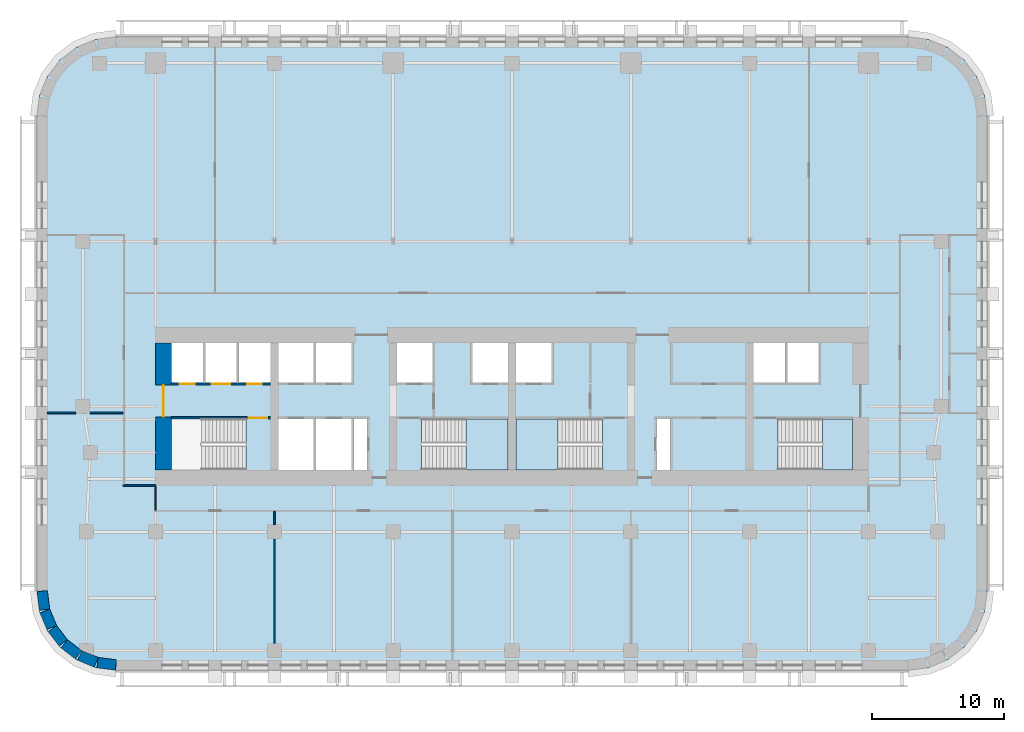
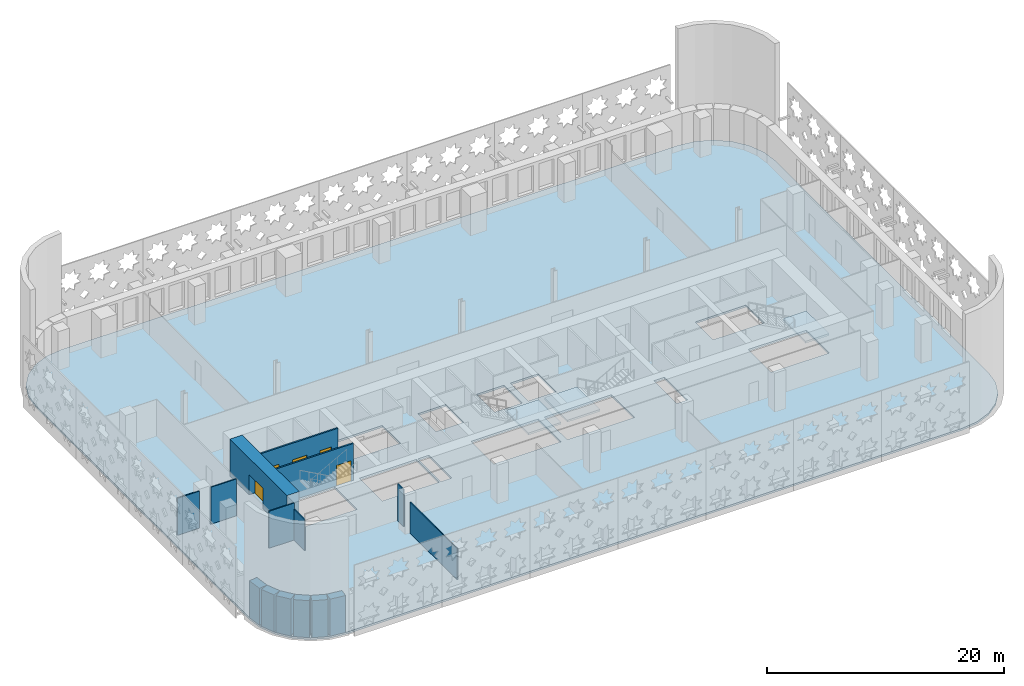
# One storey, part 2 of 13: 15 walls, 5 doors, 4 slabs, 5 openings, 3 elements without a shape of their own.
"""IFC4 building model written with IfcOpenShell, lengths in metres."""

from ifc_helpers import new_model, si_unit, direction, frame, frame_2d, origin, place, context, subcontext, project, spatial, polyline, rectangle, outline, extrude, material, layer, layer_set, type_object, element, fill, aggregate, save


model = new_model("IFC4")

# Units and contexts
model_context = context("Model", 3, precision=1e-05, world=origin(), true_north=direction((0.0, 1.0)))
body_context = subcontext(model_context, "Body", "Model", "MODEL_VIEW")
ifc_project = project(units=[si_unit("LENGTHUNIT", "METRE"), si_unit("AREAUNIT", "SQUARE_METRE"), si_unit("VOLUMEUNIT", "CUBIC_METRE"), si_unit("PLANEANGLEUNIT", "RADIAN"), si_unit("MASSUNIT", "GRAM", prefix="KILO")], contexts=[model_context])

# Site, building, storey
site_placement = place(None, origin())
site = spatial("IfcSite", under=ifc_project, at=site_placement, CompositionType="ELEMENT")
building_placement = place(site_placement, origin())
building = spatial("IfcBuilding", under=site, at=building_placement, Name="Zellij Exchange Tower", CompositionType="ELEMENT")
storey_placement = place(building_placement, frame((0.0, 0.0, 52.5)))
storey = spatial("IfcBuildingStorey", under=building, at=storey_placement, Name="L09", CompositionType="ELEMENT", Elevation=52.5)

# Stair, slab
ifc_material_1 = material(Name="Concrete C40/50", Category="concrete")
stair_type = type_object("IfcStairType", Name="CORE-ST exit stair 1850 wide", PredefinedType="HALF_TURN_STAIR", material=ifc_material_1)
stair_1_placement = place(storey_placement, origin())
stair_1 = element("IfcStair", 1, at=stair_1_placement, inside=storey, type_object=stair_type, Name="L09 exit stair ST2", PredefinedType="HALF_TURN_STAIR")
ifc_layer_1 = layer(ifc_material_1, 0.199951171875)
ifc_layer_set_1 = layer_set([ifc_layer_1], Name="Concrete C40/50")
slab_type_1 = type_object("IfcSlabType", Name="CORE-SL stair landing 200", PredefinedType="LANDING", material=ifc_layer_set_1)
slab_1_placement = place(storey_placement, frame((0.0, 0.0, 1.800048828125)))
slab_1 = element("IfcSlab", 2, at=slab_1_placement, type_object=slab_type_1, Name="ST2 landing 1", PredefinedType="LANDING", context=body_context, shape_type="SweptSolid", body=[
    extrude(outline(polyline([(-3.489990234375, -12.800048828125), (-0.300048828125, -12.800048828125), (-0.300048828125, -8.949951171875), (-3.489990234375, -8.949951171875), (-3.489990234375, -12.800048828125)])), origin(), (0.0, 0.0, 1.0), 0.199951171875),
])
aggregate(stair_1, [slab_1])

stair_2_placement = place(storey_placement, origin())
stair_2 = element("IfcStair", 3, at=stair_2_placement, inside=storey, type_object=stair_type, Name="L09 exit stair ST3", PredefinedType="HALF_TURN_STAIR")
slab_2_placement = place(storey_placement, frame((0.0, 0.0, 1.800048828125)))
slab_2 = element("IfcSlab", 4, at=slab_2_placement, type_object=slab_type_1, Name="ST3 landing 1", PredefinedType="LANDING", context=body_context, shape_type="SweptSolid", body=[
    extrude(outline(polyline([(3.489990234375, -8.949951171875), (0.300048828125, -8.949951171875), (0.300048828125, -12.800048828125), (3.489990234375, -12.800048828125), (3.489990234375, -8.949951171875)])), origin(), (0.0, 0.0, 1.0), 0.199951171875),
])
aggregate(stair_2, [slab_2])

stair_3_placement = place(storey_placement, origin())
stair_3 = element("IfcStair", 5, at=stair_3_placement, inside=storey, type_object=stair_type, Name="L09 exit stair ST4", PredefinedType="HALF_TURN_STAIR")
slab_3_placement = place(storey_placement, frame((0.0, 0.0, 1.800048828125)))
slab_3 = element("IfcSlab", 6, at=slab_3_placement, type_object=slab_type_1, Name="ST4 landing 1", PredefinedType="LANDING", context=body_context, shape_type="SweptSolid", body=[
    extrude(outline(polyline([(23.510009765625, -12.800048828125), (25.800048828125, -12.800048828125), (25.800048828125, -8.949951171875), (23.510009765625, -8.949951171875), (23.510009765625, -12.800048828125)])), origin(), (0.0, 0.0, 1.0), 0.199951171875),
])
aggregate(stair_3, [slab_3])

# Slab
ifc_layer_2 = layer(ifc_material_1, 0.199951171875)
ifc_layer_set_2 = layer_set([ifc_layer_2], Name="Concrete C40/50")
slab_type_2 = type_object("IfcSlabType", Name="STR-FLOOR SLAB 200 C40/50", PredefinedType="FLOOR", material=ifc_layer_set_2)
slab_4_placement = place(storey_placement, frame((0.0, 0.0, -0.2001953125)))
element("IfcSlab", 7, at=slab_4_placement, inside=storey, type_object=slab_type_2, Name="Floor L09", PredefinedType="FLOOR", context=body_context, shape_type="SweptSolid", body=[
    extrude(outline(polyline([(-30.0, -28.0), (-31.552978515625, -27.795654296875), (-33.0, -27.1962890625), (-34.24267578125, -26.24267578125), (-35.1962890625, -25.0), (-35.795654296875, -23.552978515625), (-36.0, -22.0), (-36.0, 14.0), (-35.795654296875, 15.552978515625), (-35.1962890625, 17.0), (-34.24267578125, 18.24267578125), (-33.0, 19.1962890625), (-31.552978515625, 19.795654296875), (-30.0, 20.0), (30.0, 20.0), (31.552978515625, 19.795654296875), (33.0, 19.1962890625), (34.24267578125, 18.24267578125), (35.1962890625, 17.0), (35.795654296875, 15.552978515625), (36.0, 14.0), (36.0, -22.0), (35.795654296875, -23.552978515625), (35.1962890625, -25.0), (34.24267578125, -26.24267578125), (33.0, -27.1962890625), (31.552978515625, -27.795654296875), (30.0, -28.0), (-30.0, -28.0)]), holes=[polyline([(-25.800048828125, -8.949951171875), (-25.800048828125, -12.800048828125), (-20.153076171875, -12.800048828125), (-20.153076171875, -8.949951171875), (-25.800048828125, -8.949951171875)]), polyline([(-12.14990234375, -8.949951171875), (-17.699951171875, -8.949951171875), (-17.699951171875, -12.800048828125), (-12.14990234375, -12.800048828125), (-12.14990234375, -8.949951171875)]), polyline([(-10.949951171875, -8.949951171875), (-12.0, -8.949951171875), (-12.0, -12.800048828125), (-10.949951171875, -12.800048828125), (-10.949951171875, -8.949951171875)]), polyline([(-23.39990234375, -3.199951171875), (-25.800048828125, -3.199951171875), (-25.800048828125, -6.22509765625), (-23.39990234375, -6.22509765625), (-23.39990234375, -3.199951171875)]), polyline([(-18.300048828125, -3.199951171875), (-23.25, -3.199951171875), (-23.25, -6.22509765625), (-18.300048828125, -6.22509765625), (-18.300048828125, -3.199951171875)]), polyline([(-12.14990234375, -3.199951171875), (-17.699951171875, -3.199951171875), (-17.699951171875, -6.22509765625), (-12.14990234375, -6.22509765625), (-12.14990234375, -3.199951171875)]), polyline([(-6.0, -3.199951171875), (-8.699951171875, -3.199951171875), (-8.699951171875, -6.22509765625), (-6.0, -6.22509765625), (-6.0, -3.199951171875)]), polyline([(-6.846923828125, -8.949951171875), (-6.846923828125, -12.800048828125), (-0.300048828125, -12.800048828125), (-0.300048828125, -8.949951171875), (-6.846923828125, -8.949951171875)]), polyline([(6.846923828125, -8.949951171875), (0.300048828125, -8.949951171875), (0.300048828125, -12.800048828125), (6.846923828125, -12.800048828125), (6.846923828125, -8.949951171875)]), polyline([(12.0, -8.949951171875), (10.949951171875, -8.949951171875), (10.949951171875, -12.800048828125), (12.0, -12.800048828125), (12.0, -8.949951171875)]), polyline([(25.800048828125, -8.949951171875), (20.153076171875, -8.949951171875), (20.153076171875, -12.800048828125), (25.800048828125, -12.800048828125), (25.800048828125, -8.949951171875)]), polyline([(-0.300048828125, -3.199951171875), (-3.0, -3.199951171875), (-3.0, -6.22509765625), (-0.300048828125, -6.22509765625), (-0.300048828125, -3.199951171875)]), polyline([(3.0, -3.199951171875), (0.300048828125, -3.199951171875), (0.300048828125, -6.22509765625), (3.0, -6.22509765625), (3.0, -3.199951171875)]), polyline([(23.25, -3.199951171875), (18.300048828125, -3.199951171875), (18.300048828125, -6.22509765625), (23.25, -6.22509765625), (23.25, -3.199951171875)])]), origin(), (0.0, 0.0, 1.0), 0.2001953125),
])

# Wall, openings, doors
ifc_material_2 = material(Name="Gypsum shaft wall system")
ifc_layer_3 = layer(ifc_material_2, 0.14990234375)
ifc_layer_set_3 = layer_set([ifc_layer_3], Name="Gypsum shaft wall system")
wall_type_1 = type_object("IfcWallType", Name="CORE-PW 150 Lift shaft wall", PredefinedType="PARTITIONING", material=ifc_layer_set_3)
wall_1_placement = place(storey_placement, frame((-25.800048828125, -6.300048828125, 0.0), z_axis=(0.0, 0.0, 1.0), x_axis=(1.0, 0.0, 0.0)))
wall_1 = element("IfcWall", 8, at=wall_1_placement, inside=storey, type_object=wall_type_1, Name="Lift shaft wall L09", PredefinedType="PARTITIONING", context=body_context, shape_type="SweptSolid", body=[
    extrude(rectangle(XDim=7.5, YDim=0.14990234375, at=frame_2d((3.75, 0.0))), origin(), (0.0, 0.0, 1.0), 3.800048828125),
])
opening_1_placement = place(wall_1_placement, frame((0.64990234375, 0.0, 0.0)))
opening_1 = element("IfcOpeningElement", 9, at=opening_1_placement, cuts=wall_1, Name="Opening CA-07.02", PredefinedType="OPENING", context=body_context, shape_type="SweptSolid", body=[
    extrude(rectangle(XDim=1.10009765625, YDim=2.10009765625, at=frame_2d((0.550048828125, 1.050048828125))), frame((0.0, 0.0869140625, 0.0), z_axis=(0.0, -1.0, 0.0), x_axis=(1.0, 0.0, 0.0)), (0.0, 0.0, 1.0), 0.173828125),
])
opening_2_placement = place(wall_1_placement, frame((3.050048828125, 0.0, 0.0)))
opening_2 = element("IfcOpeningElement", 10, at=opening_2_placement, cuts=wall_1, Name="Opening CA-07.03", PredefinedType="OPENING", context=body_context, shape_type="SweptSolid", body=[
    extrude(rectangle(XDim=1.39990234375, YDim=2.10009765625, at=frame_2d((0.699951171875, 1.050048828125))), frame((0.0, 0.0869140625, 0.0), z_axis=(0.0, -1.0, 0.0), x_axis=(1.0, 0.0, 0.0)), (0.0, 0.0, 1.0), 0.173828125),
])
opening_3_placement = place(wall_1_placement, frame((5.75, 0.0, 0.0)))
opening_3 = element("IfcOpeningElement", 11, at=opening_3_placement, cuts=wall_1, Name="Opening CA-07.04", PredefinedType="OPENING", context=body_context, shape_type="SweptSolid", body=[
    extrude(rectangle(XDim=1.10009765625, YDim=2.10009765625, at=frame_2d((0.550048828125, 1.050048828125))), frame((0.0, 0.0869140625, 0.0), z_axis=(0.0, -1.0, 0.0), x_axis=(1.0, 0.0, 0.0)), (0.0, 0.0, 1.0), 0.173828125),
])
ifc_material_3 = material(Name="Hollow metal fire door")
door_type_1 = type_object("IfcDoorType", Name="CORE-D LD Lift landing door 1100x2100 1.5 HR", OperationType="NOTDEFINED", PredefinedType="DOOR", material=ifc_material_3)
door_1_placement = place(opening_1_placement, origin())
door_1 = element("IfcDoor", 12, at=door_1_placement, inside=storey, type_object=door_type_1, Name="Lift landing door CA-07.02", OperationType="SLIDING_TO_RIGHT", OverallHeight=2.10009765625, OverallWidth=1.10009765625, PredefinedType="DOOR", context=body_context, shape_type="SweptSolid", body=[
    extrude(rectangle(XDim=1.10009765625, YDim=2.10009765625, at=frame_2d((0.550048828125, 1.050048828125))), frame((0.0, 0.02490234375, 0.0), z_axis=(0.0, -1.0, 0.0), x_axis=(1.0, 0.0, 0.0)), (0.0, 0.0, 1.0), 0.050048828125),
])
fill(opening_1, door_1)
door_2_placement = place(opening_3_placement, origin())
door_2 = element("IfcDoor", 13, at=door_2_placement, inside=storey, type_object=door_type_1, Name="Lift landing door CA-07.04", OperationType="SLIDING_TO_RIGHT", OverallHeight=2.10009765625, OverallWidth=1.10009765625, PredefinedType="DOOR", context=body_context, shape_type="SweptSolid", body=[
    extrude(rectangle(XDim=1.10009765625, YDim=2.10009765625, at=frame_2d((0.550048828125, 1.050048828125))), frame((0.0, 0.02490234375, 0.0), z_axis=(0.0, -1.0, 0.0), x_axis=(1.0, 0.0, 0.0)), (0.0, 0.0, 1.0), 0.050048828125),
])
fill(opening_3, door_2)
door_type_2 = type_object("IfcDoorType", Name="CORE-D LD2 Service lift landing door 1400x2100 1.5 HR", OperationType="NOTDEFINED", PredefinedType="DOOR", material=ifc_material_3)
door_3_placement = place(opening_2_placement, origin())
door_3 = element("IfcDoor", 14, at=door_3_placement, inside=storey, type_object=door_type_2, Name="Service lift landing door CA-07.03", OperationType="SLIDING_TO_LEFT", OverallHeight=2.10009765625, OverallWidth=1.39990234375, PredefinedType="DOOR", context=body_context, shape_type="SweptSolid", body=[
    extrude(rectangle(XDim=1.39990234375, YDim=2.10009765625, at=frame_2d((0.699951171875, 1.050048828125))), frame((0.0, 0.02490234375, 0.0), z_axis=(0.0, -1.0, 0.0), x_axis=(1.0, 0.0, 0.0)), (0.0, 0.0, 1.0), 0.050048828125),
])
fill(opening_2, door_3)

# Wall, opening, door
ifc_material_4 = material(Name="Concrete C70/85", Category="concrete")
ifc_layer_4 = layer(ifc_material_4, 1.199951171875)
ifc_layer_set_4 = layer_set([ifc_layer_4], Name="Concrete C70/85")
wall_type_2 = type_object("IfcWallType", Name="CORE-SW 1200 C70/85", PredefinedType="SHEAR", material=ifc_layer_set_4)
wall_2_placement = place(storey_placement, frame((-26.39990234375, -12.800048828125, 0.0), z_axis=(0.0, 0.0, 1.0), x_axis=(0.0, 1.0, 0.0)))
wall_2 = element("IfcWall", 15, at=wall_2_placement, inside=storey, type_object=wall_type_2, Name="Core shear wall end w L09", PredefinedType="SHEAR", context=body_context, shape_type="SweptSolid", body=[
    extrude(rectangle(XDim=9.60009765625, YDim=1.199951171875, at=frame_2d((4.800048828125, 0.0))), origin(), (0.0, 0.0, 1.0), 3.800048828125),
])
opening_4_placement = place(wall_2_placement, frame((4.011962890625, 0.0, 0.0)))
opening_4 = element("IfcOpeningElement", 16, at=opening_4_placement, cuts=wall_2, Name="Opening CA-07.01", PredefinedType="OPENING", context=body_context, shape_type="SweptSolid", body=[
    extrude(rectangle(XDim=2.39990234375, YDim=2.10009765625, at=frame_2d((1.199951171875, 1.050048828125))), frame((0.0, 0.61181640625, 0.0), z_axis=(0.0, -1.0, 0.0), x_axis=(1.0, 0.0, 0.0)), (0.0, 0.0, 1.0), 1.223876953125),
])
door_type_3 = type_object("IfcDoorType", Name="CORE-D CE Core entrance door 2400x2100 20 MIN", OperationType="NOTDEFINED", PredefinedType="DOOR", material=ifc_material_3)
door_4_placement = place(opening_4_placement, origin())
door_4 = element("IfcDoor", 17, at=door_4_placement, inside=storey, type_object=door_type_3, Name="Core entrance door CA-07.01", OperationType="DOUBLE_DOOR_SINGLE_SWING", OverallHeight=2.10009765625, OverallWidth=2.39990234375, PredefinedType="DOOR", context=body_context, shape_type="SweptSolid", body=[
    extrude(rectangle(XDim=2.39990234375, YDim=2.10009765625, at=frame_2d((1.199951171875, 1.050048828125))), frame((0.0, 0.02490234375, 0.0), z_axis=(0.0, -1.0, 0.0), x_axis=(1.0, 0.0, 0.0)), (0.0, 0.0, 1.0), 0.050048828125),
])
fill(opening_4, door_4)

ifc_layer_5 = layer(ifc_material_4, 0.14990234375)
ifc_layer_set_5 = layer_set([ifc_layer_5], Name="Concrete C70/85")
wall_type_3 = type_object("IfcWallType", Name="CORE-SWS 150 C70/85", PredefinedType="SHEAR", material=ifc_layer_set_5)
wall_3_placement = place(storey_placement, frame((-25.800048828125, -8.875, 0.0), z_axis=(0.0, 0.0, 1.0), x_axis=(1.0, 0.0, 0.0)))
wall_3 = element("IfcWall", 18, at=wall_3_placement, inside=storey, type_object=wall_type_3, Name="Stair enclosure wall L09", PredefinedType="SHEAR", context=body_context, shape_type="SweptSolid", body=[
    extrude(rectangle(XDim=7.5, YDim=0.14990234375, at=frame_2d((3.75, 0.0))), origin(), (0.0, 0.0, 1.0), 3.800048828125),
])
opening_5_placement = place(wall_3_placement, frame((5.875, 0.0, 0.0)))
opening_5 = element("IfcOpeningElement", 19, at=opening_5_placement, cuts=wall_3, Name="Opening CA-07.05", PredefinedType="OPENING", context=body_context, shape_type="SweptSolid", body=[
    extrude(rectangle(XDim=1.39990234375, YDim=2.10009765625, at=frame_2d((0.699951171875, 1.050048828125))), frame((0.0, 0.0869140625, 0.0), z_axis=(0.0, -1.0, 0.0), x_axis=(1.0, 0.0, 0.0)), (0.0, 0.0, 1.0), 0.173828125),
])
door_type_4 = type_object("IfcDoorType", Name="CORE-D SD Stair door 1400x2100 1.5 HR", OperationType="NOTDEFINED", PredefinedType="DOOR", material=ifc_material_3)
door_5_placement = place(opening_5_placement, origin())
door_5 = element("IfcDoor", 20, at=door_5_placement, inside=storey, type_object=door_type_4, Name="Stair door CA-07.05", OperationType="DOUBLE_DOOR_SINGLE_SWING", OverallHeight=2.10009765625, OverallWidth=1.39990234375, PredefinedType="DOOR", context=body_context, shape_type="SweptSolid", body=[
    extrude(rectangle(XDim=1.39990234375, YDim=2.10009765625, at=frame_2d((0.699951171875, 1.050048828125))), frame((0.0, 0.02490234375, 0.0), z_axis=(0.0, -1.0, 0.0), x_axis=(1.0, 0.0, 0.0)), (0.0, 0.0, 1.0), 0.050048828125),
])
fill(opening_5, door_5)

# Walls
ifc_material_5 = material(Name="Precast concrete C40/50", Category="concrete")
ifc_layer_6 = layer(ifc_material_5, 0.800048828125)
ifc_layer_set_6 = layer_set([ifc_layer_6], Name="Precast concrete C40/50")
wall_type_4 = type_object("IfcWallType", Name="ENV-EW1 Precast stone-piered wall 800", PredefinedType="SOLIDWALL", material=ifc_layer_set_6)
wall_4_placement = place(storey_placement, frame((-35.5966796875, -21.999755859375, 0.0), z_axis=(0.0, 0.0, 1.0), x_axis=(0.130517283865, -0.99144603414, 0.0)))
element("IfcWall", 21, at=wall_4_placement, inside=storey, type_object=wall_type_4, Name="fac.L09.22", PredefinedType="SOLIDWALL", context=body_context, shape_type="SweptSolid", body=[
    extrude(rectangle(XDim=1.408447265625, YDim=0.800048828125, at=frame_2d((0.7041015625, 0.0))), origin(), (0.0, 0.0, 1.0), 3.800048828125),
])
wall_5_placement = place(storey_placement, frame((-35.3857421875, -23.497314453125, 0.0), z_axis=(0.0, 0.0, 1.0), x_axis=(0.38276009378, -0.923847774587, 0.0)))
element("IfcWall", 22, at=wall_5_placement, inside=storey, type_object=wall_type_4, Name="fac.L09.23", PredefinedType="SOLIDWALL", context=body_context, shape_type="SweptSolid", body=[
    extrude(rectangle(XDim=1.35546875, YDim=0.800048828125, at=frame_2d((0.677734375, 0.0))), origin(), (0.0, 0.0, 1.0), 3.800048828125),
])
for number, where, z_axis, x_axis, name in (
    (23, (-34.814697265625, -24.840087890625, 0.0), (0.0, 0.0, 1.0), (0.608866226366, -0.793272915452, 0.0), "fac.L09.24"),
    (24, (-33.91552734375, -25.9892578125, 0.0), (0.0, 0.0, 1.0), (0.793272915452, -0.608866226366, 0.0), "fac.L09.25"),
):
    element("IfcWall", number, at=place(storey_placement, frame(where, z_axis=z_axis, x_axis=x_axis)), inside=storey, type_object=wall_type_4, Name=name, PredefinedType="SOLIDWALL", context=body_context, shape_type="SweptSolid", body=[
        extrude(rectangle(XDim=1.355712890625, YDim=0.800048828125, at=frame_2d((0.677734375, 0.0))), origin(), (0.0, 0.0, 1.0), 3.800048828125),
    ])
wall_6_placement = place(storey_placement, frame((-32.74951171875, -26.866943359375, 0.0), z_axis=(0.0, 0.0, 1.0), x_axis=(0.923847774587, -0.38276009378, 0.0)))
element("IfcWall", 25, at=wall_6_placement, inside=storey, type_object=wall_type_4, Name="fac.L09.26", PredefinedType="SOLIDWALL", context=body_context, shape_type="SweptSolid", body=[
    extrude(rectangle(XDim=1.35546875, YDim=0.800048828125, at=frame_2d((0.677734375, 0.0))), origin(), (0.0, 0.0, 1.0), 3.800048828125),
])
wall_7_placement = place(storey_placement, frame((-31.396240234375, -27.412841796875, 0.0), z_axis=(0.0, 0.0, 1.0), x_axis=(0.99144603414, -0.130517283865, 0.0)))
element("IfcWall", 26, at=wall_7_placement, inside=storey, type_object=wall_type_4, Name="fac.L09.27", PredefinedType="SOLIDWALL", context=body_context, shape_type="SweptSolid", body=[
    extrude(rectangle(XDim=1.408447265625, YDim=0.800048828125, at=frame_2d((0.7041015625, 0.0))), origin(), (0.0, 0.0, 1.0), 3.800048828125),
])
ifc_material_6 = material(Name="Gypsum board partition on steel studs", Category="steel")
ifc_layer_7 = layer(ifc_material_6, 0.10009765625)
ifc_layer_set_7 = layer_set([ifc_layer_7], Name="Gypsum board partition on steel studs")
wall_type_5 = type_object("IfcWallType", Name="FIT-PARTITION-100", PredefinedType="PARTITIONING", material=ifc_layer_set_7)
wall_8_placement = place(storey_placement, frame((-18.0, -25.949951171875, 0.0), z_axis=(0.0, 0.0, 1.0), x_axis=(0.0, 1.0, 0.0)))
element("IfcWall", 27, at=wall_8_placement, inside=storey, type_object=wall_type_5, Name="FIT-PARTITION-100 001", PredefinedType="PARTITIONING", context=body_context, shape_type="SweptSolid", body=[
    extrude(rectangle(XDim=7.89990234375, YDim=0.10009765625, at=frame_2d((3.949951171875, 0.0))), origin(), (0.0, 0.0, 1.0), 3.18798828125),
])
wall_9_placement = place(storey_placement, frame((-18.0, -16.949951171875, 0.0), z_axis=(0.0, 0.0, 1.0), x_axis=(0.0, 1.0, 0.0)))
element("IfcWall", 28, at=wall_9_placement, inside=storey, type_object=wall_type_5, Name="FIT-PARTITION-100 002", PredefinedType="PARTITIONING", context=body_context, shape_type="SweptSolid", body=[
    extrude(rectangle(XDim=1.0, YDim=0.10009765625, at=frame_2d((0.5, 0.0))), origin(), (0.0, 0.0, 1.0), 3.800048828125),
])
wall_10_placement = place(storey_placement, frame((-27.0, -15.85009765625, 0.0), z_axis=(0.0, 0.0, 1.0), x_axis=(0.0, 1.0, 0.0)))
element("IfcWall", 29, at=wall_10_placement, inside=storey, type_object=wall_type_5, Name="FIT-PARTITION-100 008", PredefinedType="PARTITIONING", context=body_context, shape_type="SweptSolid", body=[
    extrude(rectangle(XDim=1.800048828125, YDim=0.10009765625, at=frame_2d((0.89990234375, 0.0))), origin(), (0.0, 0.0, 1.0), 3.18798828125),
])
wall_11_placement = place(storey_placement, frame((-29.449951171875, -14.0, 0.0), z_axis=(0.0, 0.0, 1.0), x_axis=(1.0, 0.0, 0.0)))
element("IfcWall", 30, at=wall_11_placement, inside=storey, type_object=wall_type_5, Name="FIT-PARTITION-100 010", PredefinedType="PARTITIONING", context=body_context, shape_type="SweptSolid", body=[
    extrude(rectangle(XDim=2.449951171875, YDim=0.10009765625, at=frame_2d((1.22509765625, 0.0))), origin(), (0.0, 0.0, 1.0), 3.800048828125),
])
wall_12_placement = place(storey_placement, frame((-35.199951171875, -8.489990234375, 0.0), z_axis=(0.0, 0.0, 1.0), x_axis=(1.0, 0.0, 0.0)))
element("IfcWall", 31, at=wall_12_placement, inside=storey, type_object=wall_type_5, Name="FIT-PARTITION-100 014", PredefinedType="PARTITIONING", context=body_context, shape_type="SweptSolid", body=[
    extrude(rectangle(XDim=2.14990234375, YDim=0.10009765625, at=frame_2d((1.074951171875, 0.0))), origin(), (0.0, 0.0, 1.0), 3.800048828125),
])
wall_13_placement = place(storey_placement, frame((-31.949951171875, -8.489990234375, 0.0), z_axis=(0.0, 0.0, 1.0), x_axis=(1.0, 0.0, 0.0)))
element("IfcWall", 32, at=wall_13_placement, inside=storey, type_object=wall_type_5, Name="FIT-PARTITION-100 015", PredefinedType="PARTITIONING", context=body_context, shape_type="SweptSolid", body=[
    extrude(rectangle(XDim=2.5, YDim=0.10009765625, at=frame_2d((1.25, 0.0))), origin(), (0.0, 0.0, 1.0), 3.800048828125),
])

save(model, "model.ifc")
